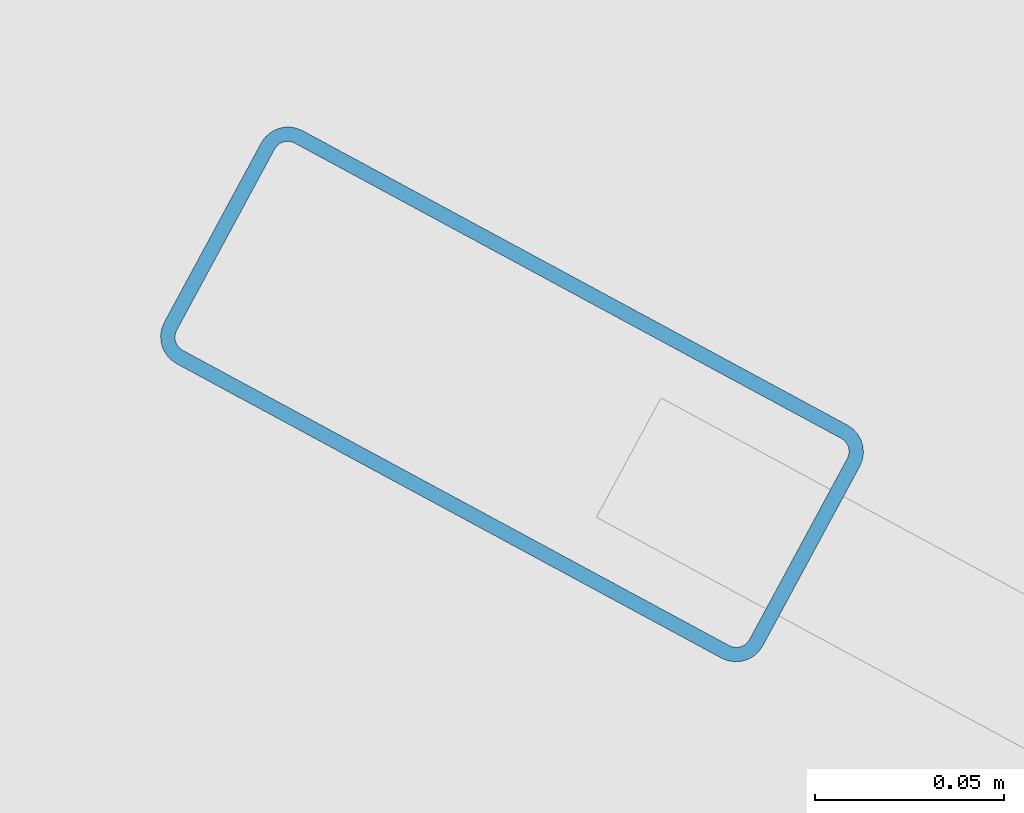
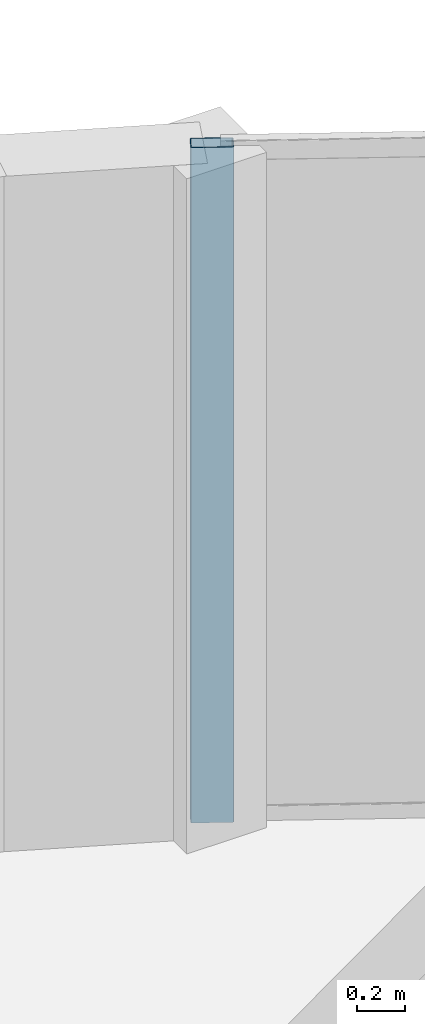
# One storey, part 7 of 13: 1 member, 1 element without a shape of its own.
"""IFC4 building model written with IfcOpenShell, lengths in metres."""

from ifc_helpers import new_model, si_unit, direction, frame, origin, origin_2d, place, context, subcontext, project, spatial, hollow_rectangle, extrude, material, layer, layer_set, material_profile, profile_set, type_object, element, aggregate, save


model = new_model("IFC4")

# Units and contexts
model_context = context("Model", 3, precision=1e-05, world=origin(), true_north=direction((0.0, 1.0)))
body_context = subcontext(model_context, "Body", "Model", "MODEL_VIEW")
ifc_project = project(units=[si_unit("LENGTHUNIT", "METRE"), si_unit("AREAUNIT", "SQUARE_METRE"), si_unit("VOLUMEUNIT", "CUBIC_METRE"), si_unit("PLANEANGLEUNIT", "RADIAN"), si_unit("MASSUNIT", "GRAM", prefix="KILO")], contexts=[model_context])

# Site, building, storey
site_placement = place(None, origin())
site = spatial("IfcSite", under=ifc_project, at=site_placement, CompositionType="ELEMENT")
building_placement = place(site_placement, origin())
building = spatial("IfcBuilding", under=site, at=building_placement, Name="An Khanh Terracotta Commons", CompositionType="ELEMENT")
storey_placement = place(building_placement, frame((0.0, 0.0, 215.699951171875)))
storey = spatial("IfcBuildingStorey", under=building, at=storey_placement, Name="L56", CompositionType="ELEMENT", Elevation=215.699951171875)

# Curtain wall, member
ifc_material = material(Name="Anodised Aluminium 6063-T6", Category="aluminium")
ifc_layer = layer(ifc_material, 0.2099609375, Name="Anodised Aluminium 6063-T6")
ifc_layer_set = layer_set([ifc_layer], Name="Anodised Aluminium 6063-T6")
curtain_wall_type = type_object("IfcCurtainWallType", Name="CW-SYS-03", PredefinedType="USERDEFINED", material=ifc_layer_set)
curtain_wall_placement = place(storey_placement, origin())
curtain_wall = element("IfcCurtainWall", 1, at=curtain_wall_placement, inside=storey, type_object=curtain_wall_type, Name="L56 CW-03 Unitised Curtain Wall CW-L56-16", ObjectType="UNITISED CURTAIN WALL", PredefinedType="USERDEFINED")
ifc_material_profile = material_profile(ifc_material, hollow_rectangle(XDim=0.070068359375, YDim=0.179931640625, WallThickness=0.00390625, InnerFilletRadius=0.00390625, OuterFilletRadius=0.008056640625, at=origin_2d()), Name="RHS180x70x4")
ifc_profile_set = profile_set([ifc_material_profile], Name="Anodised Aluminium 6063-T6")
member_type = type_object("IfcMemberType", Name="CWM-RHS180x70x4", PredefinedType="MULLION", material=ifc_profile_set)
member_placement = place(storey_placement, frame((57.3876953125, 39.058349609375, 0.0), z_axis=(0.0, 0.0, 1.0), x_axis=(-0.47538088298, -0.879780095306, 0.0)))
member = element("IfcMember", 2, at=member_placement, type_object=member_type, Name="CW-03 mullion 5", PredefinedType="MULLION", context=body_context, shape_type="SweptSolid", body=[
    extrude(hollow_rectangle(XDim=0.070068359375, YDim=0.179931640625, WallThickness=0.00390625, InnerFilletRadius=0.00390625, OuterFilletRadius=0.008056640625, at=origin_2d()), origin(), (0.0, 0.0, 1.0), 3.400146484375),
])
aggregate(curtain_wall, [member])

save(model, "model.ifc")
